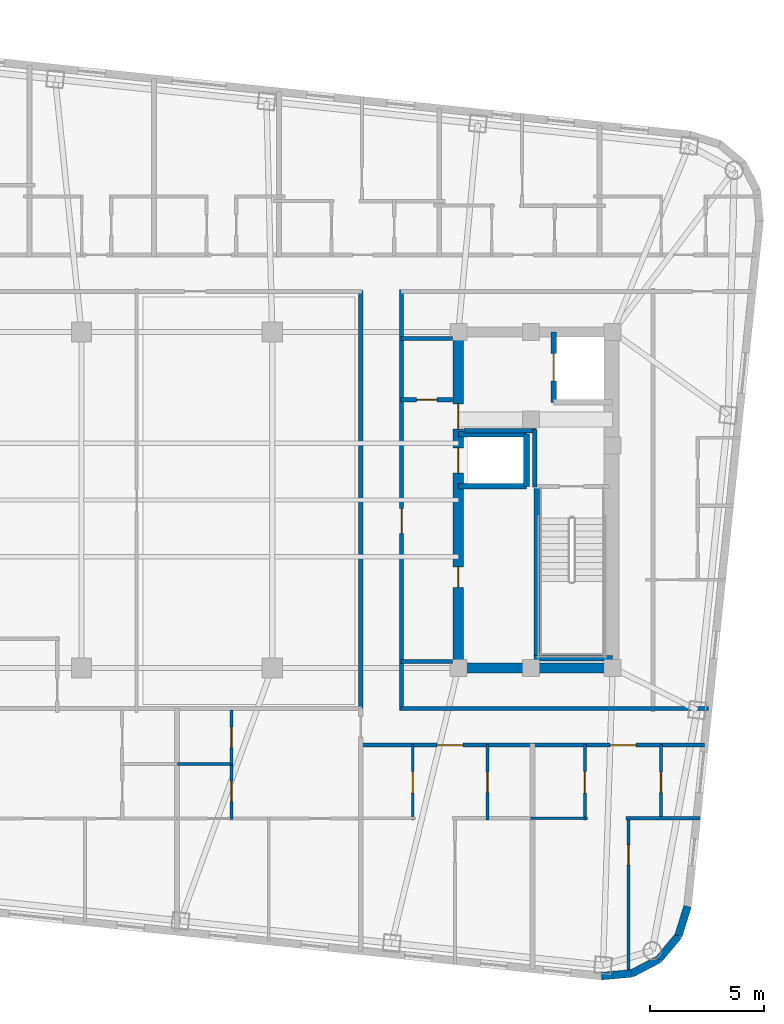
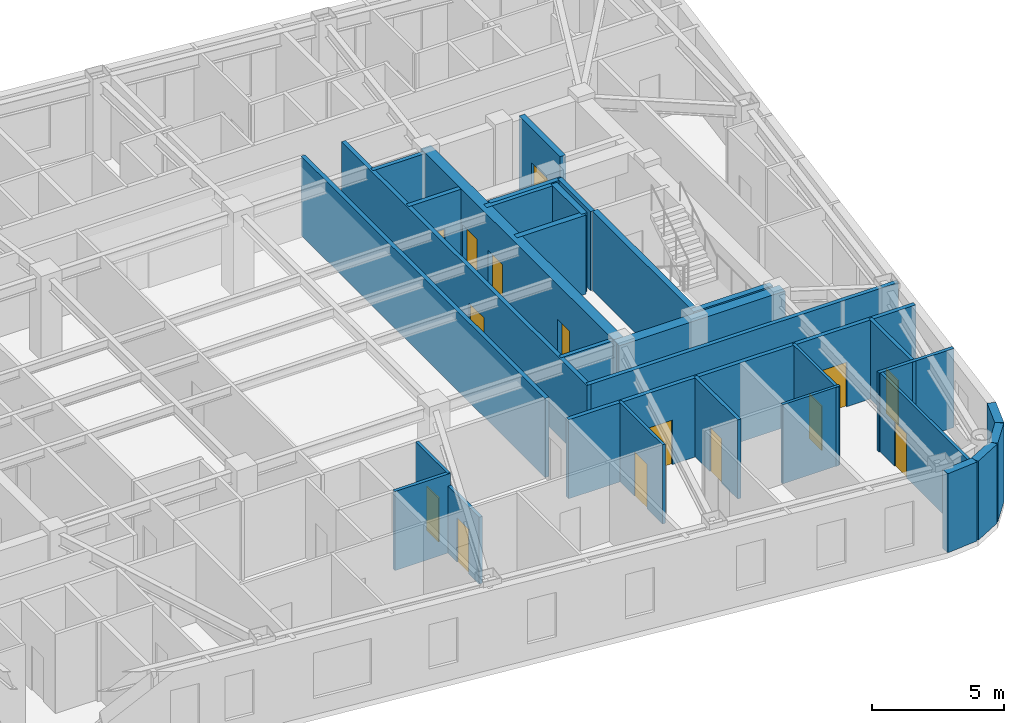
# One storey, part 6 of 11: 31 walls, 15 doors, 15 openings.
"""IFC4 building model written with IfcOpenShell, lengths in metres."""

import ifcopenshell
import ifcopenshell.guid

model = None  # the IFC model being written
_history = None  # IfcOwnerHistory: only IFC2X3 demands one
_inside = {}  # id of a spatial element -> (the spatial element, [elements in it])
_under = {}  # id of a project, library or spatial element -> (it, [spatial elements below it])
_declared = {}  # id of a project -> (the project, [libraries it declares])
_typed = {}  # id of a type object -> (the type object, [elements of that type])
_made_of = {}  # id of a material, layer set ... -> (it, [elements and type objects made of it])


def new_model(schema):
    """Start an empty IFC model of exactly this schema.

    Asked for "IFC4X3", IfcOpenShell would pick the latest addendum, in which some entities
    have other attributes; the version numbers below select the first issue.
    IFC2X3 requires an IfcOwnerHistory on every rooted entity: one is made here for all.
    """
    global model, _history
    if schema == "IFC4X3":
        model = ifcopenshell.file(schema_version=(4, 3, 0, 0))
    else:
        model = ifcopenshell.file(schema=schema)
    _inside.clear()
    _under.clear()
    _declared.clear()
    _typed.clear()
    _made_of.clear()
    _history = None
    if model.schema == "IFC2X3":
        org = make("IfcOrganization", Name="unknown")
        user = make(
            "IfcPersonAndOrganization",
            ThePerson=make("IfcPerson", FamilyName="unknown"),
            TheOrganization=org,
        )
        app = make(
            "IfcApplication",
            ApplicationDeveloper=org,
            Version="unknown",
            ApplicationFullName="unknown",
            ApplicationIdentifier="unknown",
        )
        _history = make(
            "IfcOwnerHistory",
            OwningUser=user,
            OwningApplication=app,
            ChangeAction="ADDED",
            CreationDate=0,
        )
    return model


def make(cls, **values):
    """One entity of the class cls with the attributes given. An attribute that is None is left unset."""
    return model.create_entity(
        cls, **{name: value for name, value in values.items() if value is not None}
    )


def rooted(cls, **values):
    """An entity with a GlobalId (a new one), such as an element, a storey or a relation."""
    return make(cls, GlobalId=ifcopenshell.guid.new(), OwnerHistory=_history, **values)


def si_unit(unit_type, name, prefix=None):
    """IfcSIUnit, for example si_unit("LENGTHUNIT", "METRE", prefix="MILLI")."""
    return make("IfcSIUnit", UnitType=unit_type, Prefix=prefix, Name=name)


def assignment(units):
    """IfcUnitAssignment: the units of a project."""
    return None if units is None else make("IfcUnitAssignment", Units=units)


def point(xyz):
    """IfcCartesianPoint."""
    return None if xyz is None else make("IfcCartesianPoint", Coordinates=xyz)


def direction(xyz):
    """IfcDirection."""
    return None if xyz is None else make("IfcDirection", DirectionRatios=xyz)


def frame(location, z_axis=None, x_axis=None):
    """IfcAxis2Placement3D, a coordinate frame: its origin and axes. An axis left out is left unset."""
    return make(
        "IfcAxis2Placement3D",
        Location=point(location),
        Axis=direction(z_axis),
        RefDirection=direction(x_axis),
    )


def frame_2d(location, x_axis=None):
    """IfcAxis2Placement2D, a coordinate frame in the plane: its origin and x axis."""
    return make(
        "IfcAxis2Placement2D", Location=point(location), RefDirection=direction(x_axis)
    )


def origin():
    """The frame at (0, 0, 0) with its axes left unset."""
    return frame((0.0, 0.0, 0.0))


def place(relative_to, where):
    """IfcLocalPlacement: puts the frame where relative to a parent placement (None: the world)."""
    return make(
        "IfcLocalPlacement", PlacementRelTo=relative_to, RelativePlacement=where
    )


def context(
    kind, dimensions, precision=None, world=None, true_north=None, identifier=None
):
    """IfcGeometricRepresentationContext, for example the 3D "Model" context."""
    return make(
        "IfcGeometricRepresentationContext",
        ContextIdentifier=identifier,
        ContextType=kind,
        CoordinateSpaceDimension=dimensions,
        Precision=precision,
        WorldCoordinateSystem=world,
        TrueNorth=true_north,
    )


def subcontext(parent, identifier, kind, view, scale=None):
    """IfcGeometricRepresentationSubContext, for example "Body" below "Model"."""
    return make(
        "IfcGeometricRepresentationSubContext",
        ContextIdentifier=identifier,
        ContextType=kind,
        ParentContext=parent,
        TargetScale=scale,
        TargetView=view,
    )


def project(units=None, contexts=None):
    """IfcProject with its units and contexts."""
    return rooted(
        "IfcProject",
        Name="project",
        RepresentationContexts=contexts,
        UnitsInContext=assignment(units),
    )


def spatial(cls, under=None, at=None, **own):
    """A site, building, storey or space (cls), placed at a placement, below another one or the project."""
    s = rooted(cls, ObjectPlacement=at, **own)
    if under is not None:
        _under.setdefault(under.id(), (under, []))[1].append(s)
    return s


def profile(cls, at=None, kind="AREA", **sizes):
    """A parametric profile (cls). Its sizes go by their IFC names, for example OverallWidth=200.0."""
    return make(cls, ProfileType=kind, Position=at, **sizes)


def rectangle(**sizes):
    """IfcRectangleProfileDef."""
    return profile("IfcRectangleProfileDef", **sizes)


def extrude(swept, where, along, depth):
    """IfcExtrudedAreaSolid: the profile swept, set in the frame where, extruded along a direction by depth."""
    return make(
        "IfcExtrudedAreaSolid",
        SweptArea=swept,
        Position=where,
        ExtrudedDirection=direction(along),
        Depth=depth,
    )


def shape(context_of_items, identifier, shape_type, items):
    """IfcShapeRepresentation: the items that make up one representation, for example the "Body"."""
    return make(
        "IfcShapeRepresentation",
        ContextOfItems=context_of_items,
        RepresentationIdentifier=identifier,
        RepresentationType=shape_type,
        Items=items,
    )


def material(Name=None, Category=None):
    """IfcMaterial."""
    return make("IfcMaterial", Name=Name, Category=Category)


def layer(
    of_material, thickness, ventilated=None, Name=None, Category=None, Priority=None
):
    """IfcMaterialLayer: one layer of a wall or slab, of a material (None: an air gap)."""
    return make(
        "IfcMaterialLayer",
        Material=of_material,
        LayerThickness=thickness,
        IsVentilated=ventilated,
        Name=Name,
        Category=Category,
        Priority=Priority,
    )


def layer_set(layers, Name=None):
    """IfcMaterialLayerSet."""
    return make("IfcMaterialLayerSet", MaterialLayers=layers, LayerSetName=Name)


def made_of(thing, what):
    """Note that an element or type object is made of a material, layer set ...; save() writes the relation."""
    if what is not None:
        _made_of.setdefault(what.id(), (what, []))[1].append(thing)
    return thing


def type_object(cls, material=None, **own):
    """A type object (cls), such as IfcWallType, which elements share."""
    return made_of(rooted(cls, **own), material)


def element(
    cls,
    number,
    at=None,
    inside=None,
    cuts=None,
    type_object=None,
    material=None,
    context=None,
    identifier="Body",
    shape_type=None,
    held_by="IfcProductDefinitionShape",
    body=None,
    shapes=None,
    **own,
):
    """One element of the class cls, such as IfcWall. Its Tag is "e" and its number.

    at: its placement. inside: the storey or other place that contains it. cuts: it is an
    opening in that element (IfcRelVoidsElement). A single representation is given by context,
    identifier, shape_type and body (its items); several are given by shapes. held_by: the class
    of the entity that holds the representations. save() writes the other relations.
    """
    e = rooted(cls, Tag="e%d" % number, ObjectPlacement=at, **own)
    if body is not None:
        shapes = [shape(context, identifier, shape_type, body)]
    if shapes is not None:
        e.Representation = make(held_by, Representations=shapes)
    if inside is not None:
        _inside.setdefault(inside.id(), (inside, []))[1].append(e)
    if cuts is not None:
        rooted(
            "IfcRelVoidsElement", RelatingBuildingElement=cuts, RelatedOpeningElement=e
        )
    if type_object is not None:
        _typed.setdefault(type_object.id(), (type_object, []))[1].append(e)
    return made_of(e, material)


def fill(opening, filler):
    """IfcRelFillsElement: the door or window that sits in an opening."""
    return rooted(
        "IfcRelFillsElement",
        RelatingOpeningElement=opening,
        RelatedBuildingElement=filler,
    )


def aggregate(whole, parts):
    """IfcRelAggregates: a whole, such as a stair, and the parts it consists of."""
    return rooted("IfcRelAggregates", RelatingObject=whole, RelatedObjects=parts)


def save(model, path):
    """Write the relations noted so far, then the file.

    IfcRelAggregates (storeys below a building ...), IfcRelContainedInSpatialStructure (elements
    in a storey), IfcRelDefinesByType, IfcRelAssociatesMaterial and IfcRelDeclares: one each for
    every whole, place, type object, material and project.
    """
    for whole, parts in _under.values():
        aggregate(whole, parts)
    for where, things in _inside.values():
        rooted(
            "IfcRelContainedInSpatialStructure",
            RelatedElements=things,
            RelatingStructure=where,
        )
    for kind, things in _typed.values():
        rooted("IfcRelDefinesByType", RelatedObjects=things, RelatingType=kind)
    for what, things in _made_of.values():
        rooted("IfcRelAssociatesMaterial", RelatedObjects=things, RelatingMaterial=what)
    for by, libraries in _declared.values():
        rooted("IfcRelDeclares", RelatingContext=by, RelatedDefinitions=libraries)
    model.write(path)


model = new_model("IFC4")

# Units and contexts
model_context = context("Model", 3, precision=1e-05, world=origin(), true_north=direction((0.0, 1.0)))
body_context = subcontext(model_context, "Body", "Model", "MODEL_VIEW")
ifc_project = project(units=[si_unit("LENGTHUNIT", "METRE"), si_unit("AREAUNIT", "SQUARE_METRE"), si_unit("VOLUMEUNIT", "CUBIC_METRE"), si_unit("PLANEANGLEUNIT", "RADIAN"), si_unit("MASSUNIT", "GRAM", prefix="KILO")], contexts=[model_context])

# Site, building, storey
site_placement = place(None, origin())
site = spatial("IfcSite", under=ifc_project, at=site_placement, CompositionType="ELEMENT")
building_placement = place(site_placement, origin())
building = spatial("IfcBuilding", under=site, at=building_placement, Name="Voryun Gate Residences", CompositionType="ELEMENT")
storey_placement = place(building_placement, frame((0.0, 0.0, 279.5)))
storey = spatial("IfcBuildingStorey", under=building, at=storey_placement, Name="L69", CompositionType="ELEMENT", Elevation=279.5)

# Wall
ifc_material_1 = material(Name="Concrete C50/60", Category="concrete")
ifc_layer_1 = layer(ifc_material_1, 0.449951171875, Name="CW_CORE_450")
ifc_layer_set_1 = layer_set([ifc_layer_1], Name="Concrete C50/60")
wall_type_1 = type_object("IfcWallType", Name="CW_CORE_450", PredefinedType="SHEAR", material=ifc_layer_set_1)
wall_1_placement = place(storey_placement, frame((12.175048828125, -7.39990234375, 0.0), z_axis=(0.0, 0.0, 1.0), x_axis=(1.0, 0.0, 0.0)))
element("IfcWall", 1, at=wall_1_placement, inside=storey, type_object=wall_type_1, Name="L69 Core shear wall CW-L69-ES", PredefinedType="SHEAR", context=body_context, shape_type="SweptSolid", body=[
    extrude(rectangle(XDim=7.25, YDim=0.449951171875, at=frame_2d((3.625, 0.0))), origin(), (0.0, 0.0, 1.0), 3.64990234375),
])

# Wall, openings, doors
wall_2_placement = place(storey_placement, frame((12.39990234375, -7.39990234375, 0.0), z_axis=(0.0, 0.0, 1.0), x_axis=(0.0, 1.0, 0.0)))
wall_2 = element("IfcWall", 2, at=wall_2_placement, inside=storey, type_object=wall_type_1, Name="L69 Core shear wall CW-L69-EW", PredefinedType="SHEAR", context=body_context, shape_type="SweptSolid", body=[
    extrude(rectangle(XDim=14.7998046875, YDim=0.449951171875, at=frame_2d((7.39990234375, 0.0))), origin(), (0.0, 0.0, 1.0), 3.64990234375),
])
opening_1_placement = place(wall_2_placement, frame((8.60009765625, 0.0, 0.0)))
opening_1 = element("IfcOpeningElement", 3, at=opening_1_placement, cuts=wall_2, Name="Opening LD2", PredefinedType="OPENING", context=body_context, shape_type="SweptSolid", body=[
    extrude(rectangle(XDim=1.10009765625, YDim=2.050048828125, at=frame_2d((0.550048828125, 1.02490234375))), frame((0.0, 0.235107421875, 0.0), z_axis=(0.0, -1.0, 0.0), x_axis=(1.0, 0.0, 0.0)), (0.0, 0.0, 1.0), 0.469970703125),
])
opening_2_placement = place(wall_2_placement, frame((10.530029296875, 0.0, 0.0)))
opening_2 = element("IfcOpeningElement", 4, at=opening_2_placement, cuts=wall_2, Name="Opening D-FD60-2", PredefinedType="OPENING", context=body_context, shape_type="SweptSolid", body=[
    extrude(rectangle(XDim=1.10009765625, YDim=2.050048828125, at=frame_2d((0.550048828125, 1.02490234375))), frame((0.0, 0.235107421875, 0.0), z_axis=(0.0, -1.0, 0.0), x_axis=(1.0, 0.0, 0.0)), (0.0, 0.0, 1.0), 0.469970703125),
])
opening_3_placement = place(wall_2_placement, frame((3.550048828125, 0.0, 0.0)))
opening_3 = element("IfcOpeningElement", 5, at=opening_3_placement, cuts=wall_2, Name="Opening D-FD60-4", PredefinedType="OPENING", context=body_context, shape_type="SweptSolid", body=[
    extrude(rectangle(XDim=0.89990234375, YDim=2.050048828125, at=frame_2d((0.449951171875, 1.02490234375))), frame((0.0, 0.235107421875, 0.0), z_axis=(0.0, -1.0, 0.0), x_axis=(1.0, 0.0, 0.0)), (0.0, 0.0, 1.0), 0.469970703125),
])
ifc_material_2 = material(Name="Painted steel fire door", Category="steel")
door_type_1 = type_object("IfcDoorType", Name="DR_FD60_FFLOB_1100", OperationType="NOTDEFINED", PredefinedType="DOOR", material=ifc_material_2)
door_1_placement = place(opening_2_placement, origin())
door_1 = element("IfcDoor", 6, at=door_1_placement, inside=storey, type_object=door_type_1, Name="Door DR-L69-CLOB-E", OperationType="SINGLE_SWING_RIGHT", OverallHeight=2.050048828125, OverallWidth=1.10009765625, PredefinedType="DOOR", context=body_context, shape_type="SweptSolid", body=[
    extrude(rectangle(XDim=1.10009765625, YDim=2.050048828125, at=frame_2d((0.550048828125, 1.02490234375))), frame((0.0, 0.02490234375, 0.0), z_axis=(0.0, -1.0, 0.0), x_axis=(1.0, 0.0, 0.0)), (0.0, 0.0, 1.0), 0.050048828125),
])
fill(opening_2, door_1)
ifc_material_3 = material(Name="Painted steel fire door", Category="steel")
door_type_2 = type_object("IfcDoorType", Name="DR_FD60_RISER_900", OperationType="NOTDEFINED", PredefinedType="DOOR", material=ifc_material_3)
door_2_placement = place(opening_3_placement, origin())
door_2 = element("IfcDoor", 7, at=door_2_placement, inside=storey, type_object=door_type_2, Name="Door DR-L69-RECE-HI", OperationType="SINGLE_SWING_RIGHT", OverallHeight=2.050048828125, OverallWidth=0.89990234375, PredefinedType="DOOR", context=body_context, shape_type="SweptSolid", body=[
    extrude(rectangle(XDim=0.89990234375, YDim=2.050048828125, at=frame_2d((0.449951171875, 1.02490234375))), frame((0.0, 0.02490234375, 0.0), z_axis=(0.0, -1.0, 0.0), x_axis=(1.0, 0.0, 0.0)), (0.0, 0.0, 1.0), 0.050048828125),
])
fill(opening_3, door_2)
ifc_material_4 = material(Name="Anodised aluminium", Category="aluminium")
door_type_3 = type_object("IfcDoorType", Name="DR_LD_PASS_1100", OperationType="NOTDEFINED", PredefinedType="DOOR", material=ifc_material_4)
door_3_placement = place(opening_1_placement, origin())
door_3 = element("IfcDoor", 8, at=door_3_placement, inside=storey, type_object=door_type_3, Name="Lift EL-P8 sliding landing door L69", OperationType="SLIDING_TO_LEFT", OverallHeight=2.050048828125, OverallWidth=1.10009765625, PredefinedType="DOOR", context=body_context, shape_type="SweptSolid", body=[
    extrude(rectangle(XDim=1.10009765625, YDim=2.050048828125, at=frame_2d((0.550048828125, 1.02490234375))), frame((0.0, 0.02490234375, 0.0), z_axis=(0.0, -1.0, 0.0), x_axis=(1.0, 0.0, 0.0)), (0.0, 0.0, 1.0), 0.050048828125),
])
fill(opening_1, door_3)

# Walls
ifc_material_5 = material(Name="Gypsum acoustic fireboard")
ifc_layer_2 = layer(ifc_material_5, 0.179931640625, Name="W_CORR_RATED_180")
ifc_layer_set_2 = layer_set([ifc_layer_2], Name="Gypsum acoustic fireboard")
wall_type_2 = type_object("IfcWallType", Name="W_CORR_RATED_180", PredefinedType="PARTITIONING", material=ifc_layer_set_2)
for number, where, z_axis, x_axis, name in (
    (9, (9.8798828125, 7.1201171875, 0.0), (0.0, 0.0, 1.0), (1.0, 0.0, 0.0), "Partition wall WP-L69-PLBN-E"),
    (10, (9.8798828125, -7.1201171875, 0.0), (0.0, 0.0, 1.0), (1.0, 0.0, 0.0), "Partition wall WP-L69-PLBS-E"),
):
    element("IfcWall", number, at=place(storey_placement, frame(where, z_axis=z_axis, x_axis=x_axis)), inside=storey, type_object=wall_type_2, Name=name, PredefinedType="PARTITIONING", context=body_context, shape_type="SweptSolid", body=[
        extrude(rectangle(XDim=2.27001953125, YDim=0.179931640625, at=frame_2d((1.135009765625, 0.0))), origin(), (0.0, 0.0, 1.0), 3.64990234375),
    ])

# Wall, opening, door
wall_3_placement = place(storey_placement, frame((9.89990234375, -9.280029296875, 0.0), z_axis=(0.0, 0.0, 1.0), x_axis=(0.0, 1.0, 0.0)))
wall_3 = element("IfcWall", 11, at=wall_3_placement, inside=storey, type_object=wall_type_2, Name="Partition wall WP-L69-PLBE-FULL", PredefinedType="PARTITIONING", context=body_context, shape_type="SweptSolid", body=[
    extrude(rectangle(XDim=18.56005859375, YDim=0.179931640625, at=frame_2d((9.280029296875, 0.0))), origin(), (0.0, 0.0, 1.0), 3.64990234375),
])
opening_4_placement = place(wall_3_placement, frame((7.802001953125, 0.0, 0.0)))
opening_4 = element("IfcOpeningElement", 12, at=opening_4_placement, cuts=wall_3, Name="Opening D-FD60-2", PredefinedType="OPENING", context=body_context, shape_type="SweptSolid", body=[
    extrude(rectangle(XDim=1.10009765625, YDim=2.050048828125, at=frame_2d((0.550048828125, 1.02490234375))), frame((0.0, 0.099853515625, 0.0), z_axis=(0.0, -1.0, 0.0), x_axis=(1.0, 0.0, 0.0)), (0.0, 0.0, 1.0), 0.199951171875),
])
door_4_placement = place(opening_4_placement, origin())
door_4 = element("IfcDoor", 13, at=door_4_placement, inside=storey, type_object=door_type_1, Name="Door DR-L69-PLBE-COR", OperationType="SINGLE_SWING_RIGHT", OverallHeight=2.050048828125, OverallWidth=1.10009765625, PredefinedType="DOOR", context=body_context, shape_type="SweptSolid", body=[
    extrude(rectangle(XDim=1.10009765625, YDim=2.050048828125, at=frame_2d((0.550048828125, 1.02490234375))), frame((0.0, 0.02490234375, 0.0), z_axis=(0.0, -1.0, 0.0), x_axis=(1.0, 0.0, 0.0)), (0.0, 0.0, 1.0), 0.050048828125),
])
fill(opening_4, door_4)

# Walls
wall_4_placement = place(storey_placement, frame((9.8798828125, -9.18994140625, 0.0), z_axis=(0.0, 0.0, 1.0), x_axis=(1.0, 0.0, 0.0)))
element("IfcWall", 14, at=wall_4_placement, inside=storey, type_object=wall_type_2, Name="Partition wall WP-L69-CWING-ES", PredefinedType="PARTITIONING", context=body_context, shape_type="SweptSolid", body=[
    extrude(rectangle(XDim=13.531982421875, YDim=0.179931640625, at=frame_2d((6.76611328125, 0.0))), origin(), (0.0, 0.0, 1.0), 3.64990234375),
])
wall_5_placement = place(storey_placement, frame((8.10009765625, -9.22998046875, 0.0), z_axis=(0.0, 0.0, 1.0), x_axis=(0.0, 1.0, 0.0)))
element("IfcWall", 15, at=wall_5_placement, inside=storey, type_object=wall_type_2, Name="Partition wall WP-L69-Z3E", PredefinedType="PARTITIONING", context=body_context, shape_type="SweptSolid", body=[
    extrude(rectangle(XDim=18.4599609375, YDim=0.179931640625, at=frame_2d((9.22998046875, 0.0))), origin(), (0.0, 0.0, 1.0), 3.64990234375),
])

# Wall, openings, doors
wall_6_placement = place(storey_placement, frame((8.080078125, -10.800048828125, 0.0), z_axis=(0.0, 0.0, 1.0), x_axis=(1.0, 0.0, 0.0)))
wall_6 = element("IfcWall", 16, at=wall_6_placement, inside=storey, type_object=wall_type_2, Name="Partition wall WP-L69-SCORR-E", PredefinedType="PARTITIONING", context=body_context, shape_type="SweptSolid", body=[
    extrude(rectangle(XDim=15.16259765625, YDim=0.179931640625, at=frame_2d((7.581298828125, 0.0))), origin(), (0.0, 0.0, 1.0), 3.64990234375),
])
opening_5_placement = place(wall_6_placement, frame((3.382568359375, 0.0, 0.0)))
opening_5 = element("IfcOpeningElement", 17, at=opening_5_placement, cuts=wall_6, Name="Opening D-UNIT-1", PredefinedType="OPENING", context=body_context, shape_type="SweptSolid", body=[
    extrude(rectangle(XDim=1.14990234375, YDim=2.050048828125, at=frame_2d((0.574951171875, 1.02490234375))), frame((0.0, 0.099853515625, 0.0), z_axis=(0.0, -1.0, 0.0), x_axis=(1.0, 0.0, 0.0)), (0.0, 0.0, 1.0), 0.199951171875),
])
opening_6_placement = place(wall_6_placement, frame((10.99560546875, 0.0, 0.0)))
opening_6 = element("IfcOpeningElement", 18, at=opening_6_placement, cuts=wall_6, Name="Opening D-UNIT-1", PredefinedType="OPENING", context=body_context, shape_type="SweptSolid", body=[
    extrude(rectangle(XDim=1.14990234375, YDim=2.050048828125, at=frame_2d((0.574951171875, 1.02490234375))), frame((0.0, 0.099853515625, 0.0), z_axis=(0.0, -1.0, 0.0), x_axis=(1.0, 0.0, 0.0)), (0.0, 0.0, 1.0), 0.199951171875),
])
ifc_material_6 = material(Name="Armoured timber-clad fire door", Category="wood")
door_type_4 = type_object("IfcDoorType", Name="DR_UNIT_ENTRY_1150", OperationType="NOTDEFINED", PredefinedType="DOOR", material=ifc_material_6)
door_5_placement = place(opening_5_placement, origin())
door_5 = element("IfcDoor", 19, at=door_5_placement, inside=storey, type_object=door_type_4, Name="Door DR-L69-SENT-6", OperationType="SINGLE_SWING_LEFT", OverallHeight=2.050048828125, OverallWidth=1.14990234375, PredefinedType="DOOR", context=body_context, shape_type="SweptSolid", body=[
    extrude(rectangle(XDim=1.14990234375, YDim=2.050048828125, at=frame_2d((0.574951171875, 1.02490234375))), frame((0.0, 0.02490234375, 0.0), z_axis=(0.0, -1.0, 0.0), x_axis=(1.0, 0.0, 0.0)), (0.0, 0.0, 1.0), 0.050048828125),
])
fill(opening_5, door_5)
door_6_placement = place(opening_6_placement, origin())
door_6 = element("IfcDoor", 20, at=door_6_placement, inside=storey, type_object=door_type_4, Name="Door DR-L69-SENT-7", OperationType="SINGLE_SWING_RIGHT", OverallHeight=2.050048828125, OverallWidth=1.14990234375, PredefinedType="DOOR", context=body_context, shape_type="SweptSolid", body=[
    extrude(rectangle(XDim=1.14990234375, YDim=2.050048828125, at=frame_2d((0.574951171875, 1.02490234375))), frame((0.0, 0.02490234375, 0.0), z_axis=(0.0, -1.0, 0.0), x_axis=(1.0, 0.0, 0.0)), (0.0, 0.0, 1.0), 0.050048828125),
])
fill(opening_6, door_6)

# Walls
ifc_material_7 = material(Name="Charcoal terracotta masonry", Category="masonry")
ifc_layer_3 = layer(ifc_material_7, 0.340087890625, Name="W_EXT_TERRACOTTA_340")
ifc_layer_set_3 = layer_set([ifc_layer_3], Name="Charcoal terracotta masonry")
wall_type_3 = type_object("IfcWallType", Name="W_EXT_TERRACOTTA_340", PredefinedType="ELEMENTEDWALL", material=ifc_layer_set_3)
wall_7_placement = place(storey_placement, frame((22.495849609375, -17.904541015625, 0.0), z_axis=(0.0, 0.0, 1.0), x_axis=(-0.296416228123, -0.955058856671, 0.0)))
element("IfcWall", 21, at=wall_7_placement, inside=storey, type_object=wall_type_3, Name="Exterior wall WEXT-L69-17", PredefinedType="ELEMENTEDWALL", context=body_context, shape_type="SweptSolid", body=[
    extrude(rectangle(XDim=1.35400390625, YDim=0.340087890625, at=frame_2d((0.677001953125, 0.0))), origin(), (0.0, 0.0, 1.0), 3.64990234375),
])
wall_8_placement = place(storey_placement, frame((22.094482421875, -19.19775390625, 0.0), z_axis=(0.0, 0.0, 1.0), x_axis=(-0.639501603217, -0.768789762863, 0.0)))
element("IfcWall", 22, at=wall_8_placement, inside=storey, type_object=wall_type_3, Name="Exterior wall WEXT-L69-18", PredefinedType="ELEMENTEDWALL", context=body_context, shape_type="SweptSolid", body=[
    extrude(rectangle(XDim=1.3369140625, YDim=0.340087890625, at=frame_2d((0.66845703125, 0.0))), origin(), (0.0, 0.0, 1.0), 3.64990234375),
])
wall_9_placement = place(storey_placement, frame((21.239501953125, -20.2255859375, 0.0), z_axis=(0.0, 0.0, 1.0), x_axis=(-0.884922182678, -0.465738908193, 0.0)))
element("IfcWall", 23, at=wall_9_placement, inside=storey, type_object=wall_type_3, Name="Exterior wall WEXT-L69-19", PredefinedType="ELEMENTEDWALL", context=body_context, shape_type="SweptSolid", body=[
    extrude(rectangle(XDim=1.337158203125, YDim=0.340087890625, at=frame_2d((0.66845703125, 0.0))), origin(), (0.0, 0.0, 1.0), 3.64990234375),
])
wall_10_placement = place(storey_placement, frame((20.05615234375, -20.848388671875, 0.0), z_axis=(0.0, 0.0, 1.0), x_axis=(-0.995813013343, -0.091413579172, 0.0)))
element("IfcWall", 24, at=wall_10_placement, inside=storey, type_object=wall_type_3, Name="Exterior wall WEXT-L69-20", PredefinedType="ELEMENTEDWALL", context=body_context, shape_type="SweptSolid", body=[
    extrude(rectangle(XDim=1.35400390625, YDim=0.340087890625, at=frame_2d((0.677001953125, 0.0))), origin(), (0.0, 0.0, 1.0), 3.64990234375),
])
ifc_material_8 = material(Name="Concrete C40/50", Category="concrete")
ifc_layer_4 = layer(ifc_material_8, 0.199951171875, Name="W_FF_LOBBY_200")
ifc_layer_set_4 = layer_set([ifc_layer_4], Name="Concrete C40/50")
wall_type_4 = type_object("IfcWallType", Name="W_FF_LOBBY_200", PredefinedType="PARTITIONING", material=ifc_layer_set_4)
wall_11_placement = place(storey_placement, frame((15.760009765625, 0.580078125, 0.0), z_axis=(0.0, 0.0, 1.0), x_axis=(0.0, 1.0, 0.0)))
element("IfcWall", 25, at=wall_11_placement, inside=storey, type_object=wall_type_4, Name="Partition wall WP-L69-FFP0-E", PredefinedType="PARTITIONING", context=body_context, shape_type="SweptSolid", body=[
    extrude(rectangle(XDim=2.52001953125, YDim=0.199951171875, at=frame_2d((1.260009765625, 0.0))), origin(), (0.0, 0.0, 1.0), 3.64990234375),
])
wall_12_placement = place(storey_placement, frame((12.659912109375, 3.06005859375, 0.0), z_axis=(0.0, 0.0, 1.0), x_axis=(1.0, 0.0, 0.0)))
element("IfcWall", 26, at=wall_12_placement, inside=storey, type_object=wall_type_4, Name="Partition wall WP-L69-FFPS-E", PredefinedType="PARTITIONING", context=body_context, shape_type="SweptSolid", body=[
    extrude(rectangle(XDim=3.16015625, YDim=0.199951171875, at=frame_2d((1.580078125, 0.0))), origin(), (0.0, 0.0, 1.0), 3.64990234375),
])

# Wall, opening, door
wall_13_placement = place(storey_placement, frame((9.8798828125, 4.409912109375, 0.0), z_axis=(0.0, 0.0, 1.0), x_axis=(1.0, 0.0, 0.0)))
wall_13 = element("IfcWall", 27, at=wall_13_placement, inside=storey, type_object=wall_type_4, Name="Partition wall WP-L69-CSFLKS-E", PredefinedType="PARTITIONING", context=body_context, shape_type="SweptSolid", body=[
    extrude(rectangle(XDim=2.27001953125, YDim=0.199951171875, at=frame_2d((1.135009765625, 0.0))), origin(), (0.0, 0.0, 1.0), 3.64990234375),
])
opening_7_placement = place(wall_13_placement, frame((0.68505859375, 0.0, 0.0)))
opening_7 = element("IfcOpeningElement", 28, at=opening_7_placement, cuts=wall_13, Name="Opening D-FD60-4", PredefinedType="OPENING", context=body_context, shape_type="SweptSolid", body=[
    extrude(rectangle(XDim=0.89990234375, YDim=2.050048828125, at=frame_2d((0.449951171875, 1.02490234375))), frame((0.0, 0.110107421875, 0.0), z_axis=(0.0, -1.0, 0.0), x_axis=(1.0, 0.0, 0.0)), (0.0, 0.0, 1.0), 0.219970703125),
])
door_7_placement = place(opening_7_placement, origin())
door_7 = element("IfcDoor", 29, at=door_7_placement, inside=storey, type_object=door_type_2, Name="Door DR-L69-CSFLK-E", OperationType="SINGLE_SWING_RIGHT", OverallHeight=2.050048828125, OverallWidth=0.89990234375, PredefinedType="DOOR", context=body_context, shape_type="SweptSolid", body=[
    extrude(rectangle(XDim=0.89990234375, YDim=2.050048828125, at=frame_2d((0.449951171875, 1.02490234375))), frame((0.0, 0.02490234375, 0.0), z_axis=(0.0, -1.0, 0.0), x_axis=(1.0, 0.0, 0.0)), (0.0, 0.0, 1.0), 0.050048828125),
])
fill(opening_7, door_7)

# Walls
ifc_material_9 = material(Name="Concrete C50/60", Category="concrete")
ifc_layer_5 = layer(ifc_material_9, 0.25, Name="W_SHAFT_RC250")
ifc_layer_set_5 = layer_set([ifc_layer_5], Name="Concrete C50/60")
wall_type_5 = type_object("IfcWallType", Name="W_SHAFT_RC250", PredefinedType="SOLIDWALL", material=ifc_layer_set_5)
wall_14_placement = place(storey_placement, frame((15.860107421875, -7.0849609375, 0.0), z_axis=(0.0, 0.0, 1.0), x_axis=(0.0, 1.0, 0.0)))
element("IfcWall", 30, at=wall_14_placement, inside=storey, type_object=wall_type_5, Name="L69 Stair shaft structural wall E-STL", PredefinedType="SOLIDWALL", context=body_context, shape_type="SweptSolid", body=[
    extrude(rectangle(XDim=7.68505859375, YDim=0.25, at=frame_2d((3.842529296875, 0.0))), origin(), (0.0, 0.0, 1.0), 3.64990234375),
])
wall_15_placement = place(storey_placement, frame((15.739990234375, -6.965087890625, 0.0), z_axis=(0.0, 0.0, 1.0), x_axis=(1.0, 0.0, 0.0)))
element("IfcWall", 31, at=wall_15_placement, inside=storey, type_object=wall_type_5, Name="L69 Stair shaft structural wall E-STS", PredefinedType="SOLIDWALL", context=body_context, shape_type="SweptSolid", body=[
    extrude(rectangle(XDim=3.4599609375, YDim=0.25, at=frame_2d((1.72998046875, 0.0))), origin(), (0.0, 0.0, 1.0), 3.64990234375),
])

# Wall, opening, door
wall_16_placement = place(storey_placement, frame((16.60009765625, 7.39990234375, 0.0), z_axis=(0.0, 0.0, 1.0), x_axis=(0.0, -1.0, 0.0)))
wall_16 = element("IfcWall", 32, at=wall_16_placement, inside=storey, type_object=wall_type_5, Name="Lift shaft wall WSH-L69-EL-FF-E1-W", PredefinedType="SOLIDWALL", context=body_context, shape_type="SweptSolid", body=[
    extrude(rectangle(XDim=3.099853515625, YDim=0.25, at=frame_2d((1.5498046875, 0.0))), origin(), (0.0, 0.0, 1.0), 3.64990234375),
])
opening_8_placement = place(wall_16_placement, frame((0.949951171875, 0.0, 0.0)))
opening_8 = element("IfcOpeningElement", 33, at=opening_8_placement, cuts=wall_16, Name="Opening LD1", PredefinedType="OPENING", context=body_context, shape_type="SweptSolid", body=[
    extrude(rectangle(XDim=1.199951171875, YDim=2.050048828125, at=frame_2d((0.60009765625, 1.02490234375))), frame((0.0, 0.135009765625, 0.0), z_axis=(0.0, -1.0, 0.0), x_axis=(1.0, 0.0, 0.0)), (0.0, 0.0, 1.0), 0.27001953125),
])
ifc_material_10 = material(Name="Anodised aluminium", Category="aluminium")
door_type_5 = type_object("IfcDoorType", Name="DR_LD_FF_1200", OperationType="NOTDEFINED", PredefinedType="DOOR", material=ifc_material_10)
door_8_placement = place(opening_8_placement, origin())
door_8 = element("IfcDoor", 34, at=door_8_placement, inside=storey, type_object=door_type_5, Name="Lift EL-FF-E1 sliding landing door L69", OperationType="SLIDING_TO_LEFT", OverallHeight=2.050048828125, OverallWidth=1.199951171875, PredefinedType="DOOR", context=body_context, shape_type="SweptSolid", body=[
    extrude(rectangle(XDim=1.199951171875, YDim=2.050048828125, at=frame_2d((0.60009765625, 1.02490234375))), frame((0.0, 0.02490234375, 0.0), z_axis=(0.0, -1.0, 0.0), x_axis=(1.0, 0.0, 0.0)), (0.0, 0.0, 1.0), 0.050048828125),
])
fill(opening_8, door_8)

# Walls
wall_17_placement = place(storey_placement, frame((12.39990234375, 0.60009765625, 0.0), z_axis=(0.0, 0.0, 1.0), x_axis=(1.0, 0.0, 0.0)))
element("IfcWall", 35, at=wall_17_placement, inside=storey, type_object=wall_type_5, Name="Lift shaft wall WSH-L69-EL-P8-S", PredefinedType="SOLIDWALL", context=body_context, shape_type="SweptSolid", body=[
    extrude(rectangle(XDim=3.0, YDim=0.25, at=frame_2d((1.5, 0.0))), origin(), (0.0, 0.0, 1.0), 3.64990234375),
])
wall_18_placement = place(storey_placement, frame((15.39990234375, 0.60009765625, 0.0), z_axis=(0.0, 0.0, 1.0), x_axis=(0.0, 1.0, 0.0)))
element("IfcWall", 36, at=wall_18_placement, inside=storey, type_object=wall_type_5, Name="Lift shaft wall WSH-L69-EL-P8-E", PredefinedType="SOLIDWALL", context=body_context, shape_type="SweptSolid", body=[
    extrude(rectangle(XDim=2.2998046875, YDim=0.25, at=frame_2d((1.14990234375, 0.0))), origin(), (0.0, 0.0, 1.0), 3.64990234375),
])
wall_19_placement = place(storey_placement, frame((15.39990234375, 2.89990234375, 0.0), z_axis=(0.0, 0.0, 1.0), x_axis=(-1.0, 0.0, 0.0)))
element("IfcWall", 37, at=wall_19_placement, inside=storey, type_object=wall_type_5, Name="Lift shaft wall WSH-L69-EL-P8-N", PredefinedType="SOLIDWALL", context=body_context, shape_type="SweptSolid", body=[
    extrude(rectangle(XDim=3.0, YDim=0.25, at=frame_2d((1.5, 0.0))), origin(), (0.0, 0.0, 1.0), 3.64990234375),
])

# Wall, opening, door
ifc_material_11 = material(Name="Gypsum acoustic partition")
ifc_layer_6 = layer(ifc_material_11, 0.125, Name="W_UNIT_PART_125")
ifc_layer_set_6 = layer_set([ifc_layer_6], Name="Gypsum acoustic partition")
wall_type_6 = type_object("IfcWallType", Name="W_UNIT_PART_125", PredefinedType="PARTITIONING", material=ifc_layer_set_6)
wall_20_placement = place(storey_placement, frame((10.389892578125, -14.10009765625, 0.0), z_axis=(0.0, 0.0, 1.0), x_axis=(0.0, 1.0, 0.0)))
wall_20 = element("IfcWall", 38, at=wall_20_placement, inside=storey, type_object=wall_type_6, Name="Partition wall WP-L69-S6-IVK", PredefinedType="PARTITIONING", context=body_context, shape_type="SweptSolid", body=[
    extrude(rectangle(XDim=3.320068359375, YDim=0.125, at=frame_2d((1.66015625, 0.0))), origin(), (0.0, 0.0, 1.0), 3.64990234375),
])
opening_9_placement = place(wall_20_placement, frame((1.18505859375, 0.0, 0.0)))
opening_9 = element("IfcOpeningElement", 39, at=opening_9_placement, cuts=wall_20, Name="Opening D-INT-1", PredefinedType="OPENING", context=body_context, shape_type="SweptSolid", body=[
    extrude(rectangle(XDim=0.949951171875, YDim=2.050048828125, at=frame_2d((0.47509765625, 1.02490234375))), frame((0.0, 0.072509765625, 0.0), z_axis=(0.0, -1.0, 0.0), x_axis=(1.0, 0.0, 0.0)), (0.0, 0.0, 1.0), 0.14501953125),
])
ifc_material_12 = material(Name="Architectural oak veneer")
door_type_6 = type_object("IfcDoorType", Name="DR_INT_ROOM_950", OperationType="NOTDEFINED", PredefinedType="DOOR", material=ifc_material_12)
door_9_placement = place(opening_9_placement, origin())
door_9 = element("IfcDoor", 40, at=door_9_placement, inside=storey, type_object=door_type_6, Name="Door DR-L69-S6-DK", OperationType="SINGLE_SWING_LEFT", OverallHeight=2.050048828125, OverallWidth=0.949951171875, PredefinedType="DOOR", context=body_context, shape_type="SweptSolid", body=[
    extrude(rectangle(XDim=0.949951171875, YDim=2.050048828125, at=frame_2d((0.47509765625, 1.02490234375))), frame((0.0, 0.02490234375, 0.0), z_axis=(0.0, -1.0, 0.0), x_axis=(1.0, 0.0, 0.0)), (0.0, 0.0, 1.0), 0.050048828125),
])
fill(opening_9, door_9)

wall_21_placement = place(storey_placement, frame((19.89697265625, -21.013427734375, 0.0), z_axis=(0.0, 0.0, 1.0), x_axis=(0.0, 1.0, 0.0)))
wall_21 = element("IfcWall", 41, at=wall_21_placement, inside=storey, type_object=wall_type_6, Name="Partition wall WP-L69-S7-OVR", PredefinedType="PARTITIONING", context=body_context, shape_type="SweptSolid", body=[
    extrude(rectangle(XDim=7.073486328125, YDim=0.125, at=frame_2d((3.53662109375, 0.0))), origin(), (0.0, 0.0, 1.0), 3.64990234375),
])
opening_10_placement = place(wall_21_placement, frame((4.92578125, 0.0, 0.0)))
opening_10 = element("IfcOpeningElement", 42, at=opening_10_placement, cuts=wall_21, Name="Opening D-INT-2", PredefinedType="OPENING", context=body_context, shape_type="SweptSolid", body=[
    extrude(rectangle(XDim=0.89990234375, YDim=2.050048828125, at=frame_2d((0.449951171875, 1.02490234375))), frame((0.0, 0.072509765625, 0.0), z_axis=(0.0, -1.0, 0.0), x_axis=(1.0, 0.0, 0.0)), (0.0, 0.0, 1.0), 0.14501953125),
])
ifc_material_13 = material(Name="Architectural oak veneer")
door_type_7 = type_object("IfcDoorType", Name="DR_INT_BATH_900", OperationType="NOTDEFINED", PredefinedType="DOOR", material=ifc_material_13)
door_10_placement = place(opening_10_placement, origin())
door_10 = element("IfcDoor", 43, at=door_10_placement, inside=storey, type_object=door_type_7, Name="Door DR-L69-S7-DMB", OperationType="SINGLE_SWING_RIGHT", OverallHeight=2.050048828125, OverallWidth=0.89990234375, PredefinedType="DOOR", context=body_context, shape_type="SweptSolid", body=[
    extrude(rectangle(XDim=0.89990234375, YDim=2.050048828125, at=frame_2d((0.449951171875, 1.02490234375))), frame((0.0, 0.02490234375, 0.0), z_axis=(0.0, -1.0, 0.0), x_axis=(1.0, 0.0, 0.0)), (0.0, 0.0, 1.0), 0.050048828125),
])
fill(opening_10, door_10)

wall_22_placement = place(storey_placement, frame((17.97412109375, -14.10009765625, 0.0), z_axis=(0.0, 0.0, 1.0), x_axis=(0.0, 1.0, 0.0)))
wall_22 = element("IfcWall", 44, at=wall_22_placement, inside=storey, type_object=wall_type_6, Name="Partition wall WP-L69-S7-IVK", PredefinedType="PARTITIONING", context=body_context, shape_type="SweptSolid", body=[
    extrude(rectangle(XDim=3.320068359375, YDim=0.125, at=frame_2d((1.66015625, 0.0))), origin(), (0.0, 0.0, 1.0), 3.64990234375),
])
opening_11_placement = place(wall_22_placement, frame((1.18505859375, 0.0, 0.0)))
opening_11 = element("IfcOpeningElement", 45, at=opening_11_placement, cuts=wall_22, Name="Opening D-INT-1", PredefinedType="OPENING", context=body_context, shape_type="SweptSolid", body=[
    extrude(rectangle(XDim=0.949951171875, YDim=2.050048828125, at=frame_2d((0.47509765625, 1.02490234375))), frame((0.0, 0.072509765625, 0.0), z_axis=(0.0, -1.0, 0.0), x_axis=(1.0, 0.0, 0.0)), (0.0, 0.0, 1.0), 0.14501953125),
])
door_11_placement = place(opening_11_placement, origin())
door_11 = element("IfcDoor", 46, at=door_11_placement, inside=storey, type_object=door_type_6, Name="Door DR-L69-S7-DK", OperationType="SINGLE_SWING_LEFT", OverallHeight=2.050048828125, OverallWidth=0.949951171875, PredefinedType="DOOR", context=body_context, shape_type="SweptSolid", body=[
    extrude(rectangle(XDim=0.949951171875, YDim=2.050048828125, at=frame_2d((0.47509765625, 1.02490234375))), frame((0.0, 0.02490234375, 0.0), z_axis=(0.0, -1.0, 0.0), x_axis=(1.0, 0.0, 0.0)), (0.0, 0.0, 1.0), 0.050048828125),
])
fill(opening_11, door_11)

# Wall
wall_23_placement = place(storey_placement, frame((15.589111328125, -14.02001953125, 0.0), z_axis=(0.0, 0.0, 1.0), x_axis=(1.0, 0.0, 0.0)))
element("IfcWall", 47, at=wall_23_placement, inside=storey, type_object=wall_type_6, Name="Partition wall WP-L69-S7-HZK", PredefinedType="PARTITIONING", context=body_context, shape_type="SweptSolid", body=[
    extrude(rectangle(XDim=2.5048828125, YDim=0.125, at=frame_2d((1.25244140625, 0.0))), origin(), (0.0, 0.0, 1.0), 3.64990234375),
])

# Wall, opening, door
wall_24_placement = place(storey_placement, frame((2.409912109375, -11.659912109375, 0.0), z_axis=(0.0, 0.0, 1.0), x_axis=(0.0, 1.0, 0.0)))
wall_24 = element("IfcWall", 48, at=wall_24_placement, inside=storey, type_object=wall_type_6, Name="Partition wall WP-L69-SC2-VK1", PredefinedType="PARTITIONING", context=body_context, shape_type="SweptSolid", body=[
    extrude(rectangle(XDim=2.409912109375, YDim=0.125, at=frame_2d((1.205078125, 0.0))), origin(), (0.0, 0.0, 1.0), 3.64990234375),
])
opening_12_placement = place(wall_24_placement, frame((0.7548828125, 0.0, 0.0)))
opening_12 = element("IfcOpeningElement", 49, at=opening_12_placement, cuts=wall_24, Name="Opening D-INT-2", PredefinedType="OPENING", context=body_context, shape_type="SweptSolid", body=[
    extrude(rectangle(XDim=0.89990234375, YDim=2.050048828125, at=frame_2d((0.449951171875, 1.02490234375))), frame((0.0, 0.072509765625, 0.0), z_axis=(0.0, -1.0, 0.0), x_axis=(1.0, 0.0, 0.0)), (0.0, 0.0, 1.0), 0.14501953125),
])
door_12_placement = place(opening_12_placement, origin())
door_12 = element("IfcDoor", 50, at=door_12_placement, inside=storey, type_object=door_type_7, Name="Door DR-L69-SC2-DK", OperationType="SINGLE_SWING_LEFT", OverallHeight=2.050048828125, OverallWidth=0.89990234375, PredefinedType="DOOR", context=body_context, shape_type="SweptSolid", body=[
    extrude(rectangle(XDim=0.89990234375, YDim=2.050048828125, at=frame_2d((0.449951171875, 1.02490234375))), frame((0.0, 0.02490234375, 0.0), z_axis=(0.0, -1.0, 0.0), x_axis=(1.0, 0.0, 0.0)), (0.0, 0.0, 1.0), 0.050048828125),
])
fill(opening_12, door_12)

ifc_material_14 = material(Name="Gypsum moisture-resistant partition")
ifc_layer_7 = layer(ifc_material_14, 0.14990234375, Name="W_WET_PLUMB_150")
ifc_layer_set_7 = layer_set([ifc_layer_7], Name="Gypsum moisture-resistant partition")
wall_type_7 = type_object("IfcWallType", Name="W_WET_PLUMB_150", PredefinedType="PLUMBINGWALL", material=ifc_layer_set_7)
wall_25_placement = place(storey_placement, frame((13.68408203125, -14.10009765625, 0.0), z_axis=(0.0, 0.0, 1.0), x_axis=(0.0, 1.0, 0.0)))
wall_25 = element("IfcWall", 51, at=wall_25_placement, inside=storey, type_object=wall_type_7, Name="Partition wall WP-L69-S6-IVB", PredefinedType="PLUMBINGWALL", context=body_context, shape_type="SweptSolid", body=[
    extrude(rectangle(XDim=3.320068359375, YDim=0.14990234375, at=frame_2d((1.66015625, 0.0))), origin(), (0.0, 0.0, 1.0), 3.64990234375),
])
opening_13_placement = place(wall_25_placement, frame((1.2099609375, 0.0, 0.0)))
opening_13 = element("IfcOpeningElement", 52, at=opening_13_placement, cuts=wall_25, Name="Opening D-INT-2", PredefinedType="OPENING", context=body_context, shape_type="SweptSolid", body=[
    extrude(rectangle(XDim=0.89990234375, YDim=2.050048828125, at=frame_2d((0.449951171875, 1.02490234375))), frame((0.0, 0.0849609375, 0.0), z_axis=(0.0, -1.0, 0.0), x_axis=(1.0, 0.0, 0.0)), (0.0, 0.0, 1.0), 0.169921875),
])
door_13_placement = place(opening_13_placement, origin())
door_13 = element("IfcDoor", 53, at=door_13_placement, inside=storey, type_object=door_type_7, Name="Door DR-L69-S6-DB", OperationType="SINGLE_SWING_RIGHT", OverallHeight=2.050048828125, OverallWidth=0.89990234375, PredefinedType="DOOR", context=body_context, shape_type="SweptSolid", body=[
    extrude(rectangle(XDim=0.89990234375, YDim=2.050048828125, at=frame_2d((0.449951171875, 1.02490234375))), frame((0.0, 0.02490234375, 0.0), z_axis=(0.0, -1.0, 0.0), x_axis=(1.0, 0.0, 0.0)), (0.0, 0.0, 1.0), 0.050048828125),
])
fill(opening_13, door_13)

# Wall
wall_26_placement = place(storey_placement, frame((19.777099609375, -14.02001953125, 0.0), z_axis=(0.0, 0.0, 1.0), x_axis=(1.0, 0.0, 0.0)))
element("IfcWall", 54, at=wall_26_placement, inside=storey, type_object=wall_type_7, Name="Partition wall WP-L69-S7-HZB", PredefinedType="PLUMBINGWALL", context=body_context, shape_type="SweptSolid", body=[
    extrude(rectangle(XDim=3.278076171875, YDim=0.14990234375, at=frame_2d((1.63916015625, 0.0))), origin(), (0.0, 0.0, 1.0), 3.64990234375),
])

# Wall, opening, door
wall_27_placement = place(storey_placement, frame((21.326904296875, -14.10009765625, 0.0), z_axis=(0.0, 0.0, 1.0), x_axis=(0.0, 1.0, 0.0)))
wall_27 = element("IfcWall", 55, at=wall_27_placement, inside=storey, type_object=wall_type_7, Name="Partition wall WP-L69-S7-IVB", PredefinedType="PLUMBINGWALL", context=body_context, shape_type="SweptSolid", body=[
    extrude(rectangle(XDim=3.320068359375, YDim=0.14990234375, at=frame_2d((1.66015625, 0.0))), origin(), (0.0, 0.0, 1.0), 3.64990234375),
])
opening_14_placement = place(wall_27_placement, frame((1.2099609375, 0.0, 0.0)))
opening_14 = element("IfcOpeningElement", 56, at=opening_14_placement, cuts=wall_27, Name="Opening D-INT-2", PredefinedType="OPENING", context=body_context, shape_type="SweptSolid", body=[
    extrude(rectangle(XDim=0.89990234375, YDim=2.050048828125, at=frame_2d((0.449951171875, 1.02490234375))), frame((0.0, 0.0849609375, 0.0), z_axis=(0.0, -1.0, 0.0), x_axis=(1.0, 0.0, 0.0)), (0.0, 0.0, 1.0), 0.169921875),
])
door_14_placement = place(opening_14_placement, origin())
door_14 = element("IfcDoor", 57, at=door_14_placement, inside=storey, type_object=door_type_7, Name="Door DR-L69-S7-DB", OperationType="SINGLE_SWING_RIGHT", OverallHeight=2.050048828125, OverallWidth=0.89990234375, PredefinedType="DOOR", context=body_context, shape_type="SweptSolid", body=[
    extrude(rectangle(XDim=0.89990234375, YDim=2.050048828125, at=frame_2d((0.449951171875, 1.02490234375))), frame((0.0, 0.02490234375, 0.0), z_axis=(0.0, -1.0, 0.0), x_axis=(1.0, 0.0, 0.0)), (0.0, 0.0, 1.0), 0.050048828125),
])
fill(opening_14, door_14)

wall_28_placement = place(storey_placement, frame((2.409912109375, -14.070068359375, 0.0), z_axis=(0.0, 0.0, 1.0), x_axis=(0.0, 1.0, 0.0)))
wall_28 = element("IfcWall", 58, at=wall_28_placement, inside=storey, type_object=wall_type_7, Name="Partition wall WP-L69-SC2-VK2", PredefinedType="PLUMBINGWALL", context=body_context, shape_type="SweptSolid", body=[
    extrude(rectangle(XDim=2.469970703125, YDim=0.14990234375, at=frame_2d((1.23486328125, 0.0))), origin(), (0.0, 0.0, 1.0), 3.090087890625),
])
opening_15_placement = place(wall_28_placement, frame((0.784912109375, 0.0, 0.0)))
opening_15 = element("IfcOpeningElement", 59, at=opening_15_placement, cuts=wall_28, Name="Opening D-INT-2", PredefinedType="OPENING", context=body_context, shape_type="SweptSolid", body=[
    extrude(rectangle(XDim=0.89990234375, YDim=2.050048828125, at=frame_2d((0.449951171875, 1.02490234375))), frame((0.0, 0.0849609375, 0.0), z_axis=(0.0, -1.0, 0.0), x_axis=(1.0, 0.0, 0.0)), (0.0, 0.0, 1.0), 0.169921875),
])
door_15_placement = place(opening_15_placement, origin())
door_15 = element("IfcDoor", 60, at=door_15_placement, inside=storey, type_object=door_type_7, Name="Door DR-L69-SC2-DB", OperationType="SINGLE_SWING_RIGHT", OverallHeight=2.050048828125, OverallWidth=0.89990234375, PredefinedType="DOOR", context=body_context, shape_type="SweptSolid", body=[
    extrude(rectangle(XDim=0.89990234375, YDim=2.050048828125, at=frame_2d((0.449951171875, 1.02490234375))), frame((0.0, 0.02490234375, 0.0), z_axis=(0.0, -1.0, 0.0), x_axis=(1.0, 0.0, 0.0)), (0.0, 0.0, 1.0), 0.050048828125),
])
fill(opening_15, door_15)

# Wall
wall_29_placement = place(storey_placement, frame((0.02001953125, -11.6298828125, 0.0), z_axis=(0.0, 0.0, 1.0), x_axis=(1.0, 0.0, 0.0)))
element("IfcWall", 61, at=wall_29_placement, inside=storey, type_object=wall_type_7, Name="Partition wall WP-L69-SC2-HKB", PredefinedType="PLUMBINGWALL", context=body_context, shape_type="SweptSolid", body=[
    extrude(rectangle(XDim=2.429931640625, YDim=0.14990234375, at=frame_2d((1.21484375, 0.0))), origin(), (0.0, 0.0, 1.0), 3.64990234375),
])

save(model, "model.ifc")
